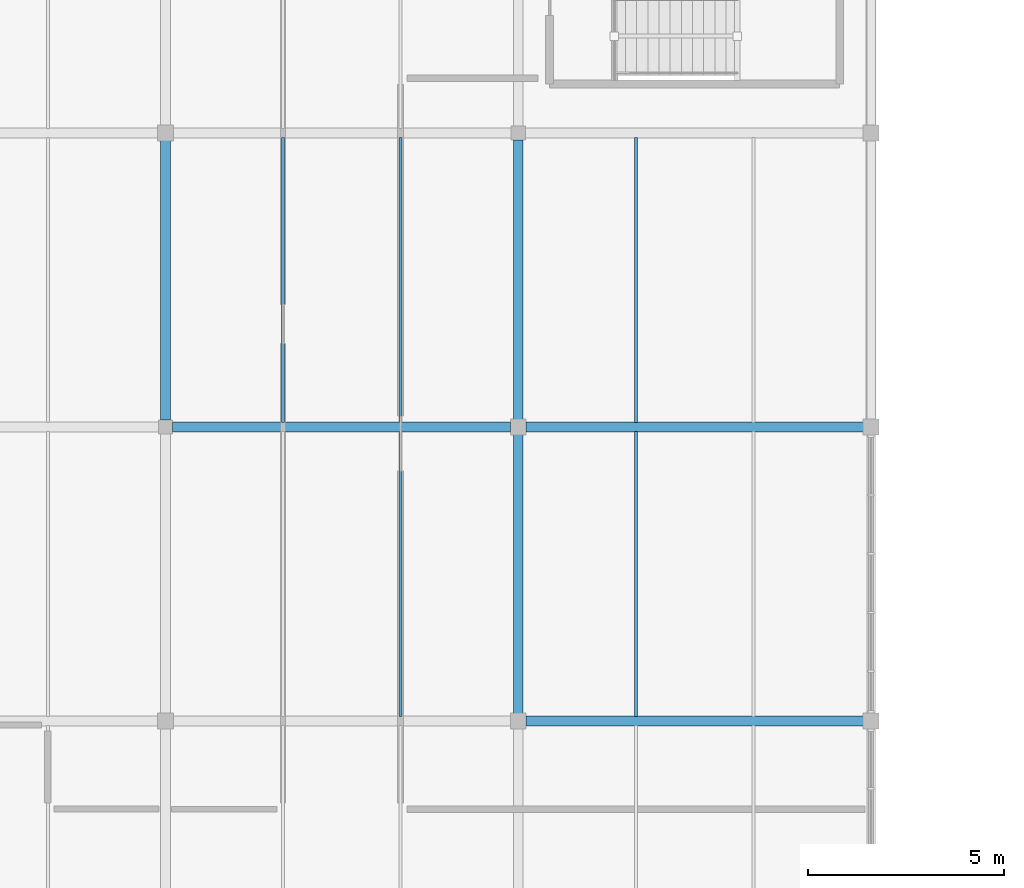
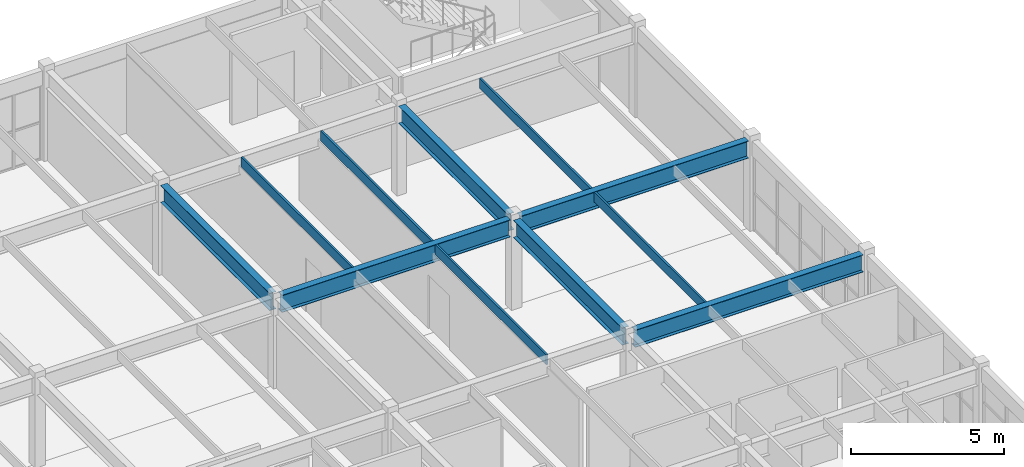
# One storey, part 31 of 81: 11 beams.
"""IFC4 building model written with IfcOpenShell, lengths in metres."""

from ifc_helpers import new_model, si_unit, direction, frame, origin, origin_2d, place, context, subcontext, project, spatial, rectangle, i_section, extrude, material, material_profile, profile_set, type_object, element, save


model = new_model("IFC4")

# Units and contexts
model_context = context("Model", 3, precision=1e-05, world=origin(), true_north=direction((0.0, 1.0)))
body_context = subcontext(model_context, "Body", "Model", "MODEL_VIEW")
ifc_project = project(units=[si_unit("LENGTHUNIT", "METRE"), si_unit("AREAUNIT", "SQUARE_METRE"), si_unit("VOLUMEUNIT", "CUBIC_METRE"), si_unit("PLANEANGLEUNIT", "RADIAN"), si_unit("MASSUNIT", "GRAM", prefix="KILO")], contexts=[model_context])

# Site, building, storey
site_placement = place(None, origin())
site = spatial("IfcSite", under=ifc_project, at=site_placement, CompositionType="ELEMENT")
building_placement = place(site_placement, origin())
building = spatial("IfcBuilding", under=site, at=building_placement, Name="Marnridge Secondary College", CompositionType="ELEMENT")
storey_placement = place(building_placement, frame((0.0, 0.0, 8.5)))
storey = spatial("IfcBuildingStorey", under=building, at=storey_placement, Name="L02", CompositionType="ELEMENT", Elevation=8.5)

# Beams
ifc_material_1 = material(Name="Engineered timber LVL E13.2", Category="wood")
ifc_material_profile_1 = material_profile(ifc_material_1, rectangle(XDim=0.074951171875, YDim=0.39990234375, at=origin_2d()), Name="LVL 75x400")
ifc_profile_set_1 = profile_set([ifc_material_profile_1], Name="Engineered timber LVL E13.2")
beam_type_1 = type_object("IfcBeamType", Name="BM-LVL400-INT", PredefinedType="JOIST", material=ifc_profile_set_1)
for number, where, z_axis, x_axis, name in (
    (1, (24.0, 97.618896484375, 3.3798828125), (0.0, 1.0, 0.0), (-1.0, 0.0, 0.0), "Beam BJ-L02-0922"),
    (2, (21.0, 105.118896484375, 3.3798828125), (0.0, 1.0, 0.0), (-1.0, 0.0, 0.0), "Beam BJ-L02-0923"),
    (3, (24.0, 105.118896484375, 3.3798828125), (0.0, 1.0, 0.0), (-1.0, 0.0, 0.0), "Beam BJ-L02-0924"),
    (4, (30.0, 97.618896484375, 3.3798828125), (0.0, 1.0, 0.0), (-1.0, 0.0, 0.0), "Beam BJ-L02-0929"),
    (5, (30.0, 105.118896484375, 3.3798828125), (0.0, 1.0, 0.0), (-1.0, 0.0, 0.0), "Beam BJ-L02-0931"),
):
    element("IfcBeam", number, at=place(storey_placement, frame(where, z_axis=z_axis, x_axis=x_axis)), inside=storey, type_object=beam_type_1, Name=name, PredefinedType="JOIST", context=body_context, shape_type="SweptSolid", body=[
        extrude(rectangle(XDim=0.074951171875, YDim=0.39990234375, at=origin_2d()), origin(), (0.0, 0.0, 1.0), 7.26220703125),
    ])
ifc_material_2 = material(Name="Structural steel Grade 350 (AS/NZS 3679.1/.2, fy = 340-360 MPa)", Category="steel")
ifc_material_profile_2 = material_profile(ifc_material_2, i_section(OverallWidth=0.25, OverallDepth=0.69189453125, WebThickness=0.009033203125, FlangeThickness=0.01611328125, at=origin_2d()), Name="700WB115")
ifc_profile_set_2 = profile_set([ifc_material_profile_2], Name="Structural steel Grade 350 (AS/NZS 3679.1/.2, fy = 340-360 MPa)")
beam_type_2 = type_object("IfcBeamType", Name="BM-WB700-INT", PredefinedType="BEAM", material=ifc_profile_set_2)
beam_1_placement = place(storey_placement, frame((18.0, 105.174072265625, 3.23388671875), z_axis=(0.0, 1.0, 0.0), x_axis=(-1.0, 0.0, 0.0)))
element("IfcBeam", 6, at=beam_1_placement, inside=storey, type_object=beam_type_2, Name="Beam B-L02-0876", PredefinedType="BEAM", context=body_context, shape_type="SweptSolid", body=[
    extrude(i_section(OverallWidth=0.25, OverallDepth=0.69189453125, WebThickness=0.009033203125, FlangeThickness=0.01611328125, at=origin_2d()), origin(), (0.0, 0.0, 1.0), 7.1318359375),
])
beam_2_placement = place(storey_placement, frame((18.174072265625, 105.0, 3.23388671875), z_axis=(1.0, 0.0, 0.0), x_axis=(0.0, 1.0, 0.0)))
element("IfcBeam", 7, at=beam_2_placement, inside=storey, type_object=beam_type_2, Name="Beam B-L02-0882", PredefinedType="BEAM", context=body_context, shape_type="SweptSolid", body=[
    extrude(i_section(OverallWidth=0.25, OverallDepth=0.69189453125, WebThickness=0.009033203125, FlangeThickness=0.01611328125, at=origin_2d()), origin(), (0.0, 0.0, 1.0), 8.6318359375),
])
beam_3_placement = place(storey_placement, frame((27.0, 97.694091796875, 3.23388671875), z_axis=(0.0, 1.0, 0.0), x_axis=(-1.0, 0.0, 0.0)))
element("IfcBeam", 8, at=beam_3_placement, inside=storey, type_object=beam_type_2, Name="Beam B-L02-0883", PredefinedType="BEAM", context=body_context, shape_type="SweptSolid", body=[
    extrude(i_section(OverallWidth=0.25, OverallDepth=0.69189453125, WebThickness=0.009033203125, FlangeThickness=0.01611328125, at=origin_2d()), origin(), (0.0, 0.0, 1.0), 7.11181640625),
])
beam_4_placement = place(storey_placement, frame((27.0, 105.194091796875, 3.23388671875), z_axis=(0.0, 1.0, 0.0), x_axis=(-1.0, 0.0, 0.0)))
element("IfcBeam", 9, at=beam_4_placement, inside=storey, type_object=beam_type_2, Name="Beam B-L02-0885", PredefinedType="BEAM", context=body_context, shape_type="SweptSolid", body=[
    extrude(i_section(OverallWidth=0.25, OverallDepth=0.69189453125, WebThickness=0.009033203125, FlangeThickness=0.01611328125, at=origin_2d()), origin(), (0.0, 0.0, 1.0), 7.1318359375),
])
for number, where, z_axis, x_axis, name in (
    (10, (27.194091796875, 97.5, 3.23388671875), (1.0, 0.0, 0.0), (0.0, 1.0, 0.0), "Beam B-L02-0889"),
    (11, (27.194091796875, 105.0, 3.23388671875), (1.0, 0.0, 0.0), (0.0, 1.0, 0.0), "Beam B-L02-0891"),
):
    element("IfcBeam", number, at=place(storey_placement, frame(where, z_axis=z_axis, x_axis=x_axis)), inside=storey, type_object=beam_type_2, Name=name, PredefinedType="BEAM", context=body_context, shape_type="SweptSolid", body=[
        extrude(i_section(OverallWidth=0.25, OverallDepth=0.69189453125, WebThickness=0.009033203125, FlangeThickness=0.01611328125, at=origin_2d()), origin(), (0.0, 0.0, 1.0), 8.61181640625),
    ])

save(model, "model.ifc")
